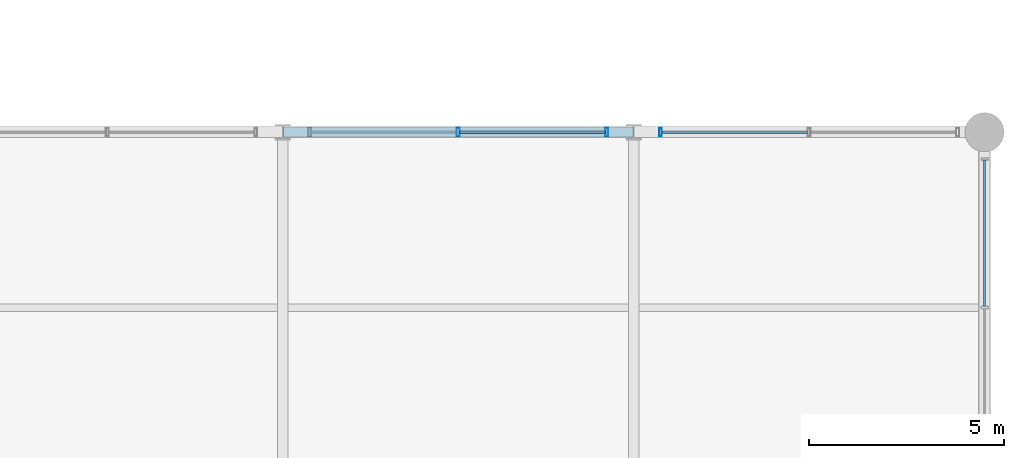
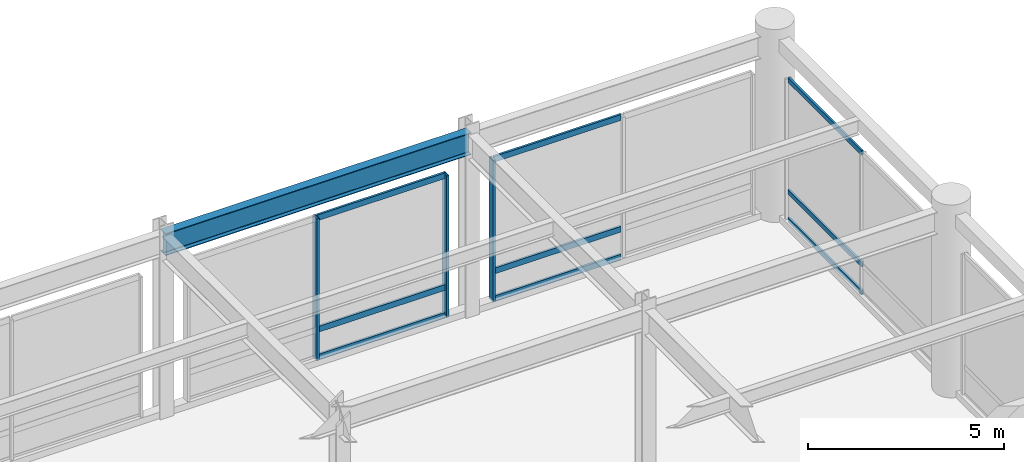
# One storey, part 51 of 105: 12 members, 1 beam, 3 elements without a shape of their own.
"""IFC4 building model written with IfcOpenShell, lengths in metres."""

from ifc_helpers import new_model, si_unit, direction, frame, origin, origin_2d, place, context, subcontext, project, spatial, hollow_rectangle, i_section, extrude, material, material_profile, profile_set, type_object, element, aggregate, save


model = new_model("IFC4")

# Units and contexts
model_context = context("Model", 3, precision=1e-05, world=origin(), true_north=direction((0.0, 1.0)))
body_context = subcontext(model_context, "Body", "Model", "MODEL_VIEW")
ifc_project = project(units=[si_unit("LENGTHUNIT", "METRE"), si_unit("AREAUNIT", "SQUARE_METRE"), si_unit("VOLUMEUNIT", "CUBIC_METRE"), si_unit("PLANEANGLEUNIT", "RADIAN"), si_unit("MASSUNIT", "GRAM", prefix="KILO")], contexts=[model_context])

# Site, building, storey
site_placement = place(None, origin())
site = spatial("IfcSite", under=ifc_project, at=site_placement, CompositionType="ELEMENT")
building_placement = place(site_placement, origin())
building = spatial("IfcBuilding", under=site, at=building_placement, Name="Kaldorvane Square Convention Centre", CompositionType="ELEMENT")
storey_placement = place(building_placement, frame((0.0, 0.0, 6.0)))
storey = spatial("IfcBuildingStorey", under=building, at=storey_placement, Name="L01", CompositionType="ELEMENT", Elevation=6.0)

# Beam
ifc_material_1 = material(Name="Steel ASTM A992 Gr. 50", Category="steel")
ifc_material_profile_1 = material_profile(ifc_material_1, i_section(OverallWidth=0.25439453125, OverallDepth=0.6880950927734375, WebThickness=0.0131072998046875, FlangeThickness=0.0211029052734375, FilletRadius=0.01519775390625, at=origin_2d()), Name="W27X102")
ifc_profile_set_1 = profile_set([ifc_material_profile_1], Name="Steel ASTM A992 Gr. 50")
beam_type = type_object("IfcBeamType", Name="BM-GR-W27X102", PredefinedType="BEAM", material=ifc_profile_set_1)
beam_placement = place(storey_placement, frame((156.0, 36.0, 5.332000732421875), z_axis=(1.0, 0.0, 0.0), x_axis=(0.0, 1.0, 0.0)))
element("IfcBeam", 1, at=beam_placement, inside=storey, type_object=beam_type, Name="Primary Girder (L01)", PredefinedType="BEAM", context=body_context, shape_type="SweptSolid", body=[
    extrude(i_section(OverallWidth=0.25439453125, OverallDepth=0.6880950927734375, WebThickness=0.0131072998046875, FlangeThickness=0.0211029052734375, FilletRadius=0.01519775390625, at=origin_2d()), origin(), (0.0, 0.0, 1.0), 9.0),
])

# Curtain wall, members
ifc_material_2 = material(Name="Anodized Aluminum and Low-E Insulated Glazing", Category="aluminium")
curtain_wall_type_1 = type_object("IfcCurtainWallType", Name="CW-PTS-FC-60", PredefinedType="USERDEFINED", material=ifc_material_2)
curtain_wall_1_placement = place(storey_placement, origin())
curtain_wall_1 = element("IfcCurtainWall", 2, at=curtain_wall_1_placement, inside=storey, type_object=curtain_wall_type_1, Name="Curtain Wall CW-07 (L01)", ObjectType="POINT SUPPORTED GLAZING", PredefinedType="USERDEFINED")
ifc_material_profile_2 = material_profile(ifc_material_2, hollow_rectangle(XDim=0.0749969482421875, YDim=0.220001220703125, WallThickness=0.003997802734375, at=origin_2d()), Name="CWM-220X75")
ifc_profile_set_2 = profile_set([ifc_material_profile_2], Name="Anodized Aluminum and Low-E Insulated Glazing")
member_type_1 = type_object("IfcMemberType", Name="CW-MUL-220", PredefinedType="MULLION", material=ifc_profile_set_2)
member_1_placement = place(storey_placement, frame((164.3125, 36.0, 0.149993896484375), z_axis=(0.0, 0.0, 1.0), x_axis=(-1.0, 0.0, 0.0)))
member_1 = element("IfcMember", 3, at=member_1_placement, type_object=member_type_1, Name="CW-07 mullion 1", PredefinedType="MULLION", context=body_context, shape_type="SweptSolid", body=[
    extrude(hollow_rectangle(XDim=0.0749969482421875, YDim=0.220001220703125, WallThickness=0.003997802734375, at=origin_2d()), origin(), (0.0, 0.0, 1.0), 4.410003662109375),
])
member_2_placement = place(storey_placement, frame((160.5, 36.0, 0.149993896484375), z_axis=(0.0, 0.0, 1.0), x_axis=(-1.0, 0.0, 0.0)))
member_2 = element("IfcMember", 4, at=member_2_placement, type_object=member_type_1, Name="CW-07 mullion 2", PredefinedType="MULLION", context=body_context, shape_type="SweptSolid", body=[
    extrude(hollow_rectangle(XDim=0.0749969482421875, YDim=0.220001220703125, WallThickness=0.003997802734375, at=origin_2d()), origin(), (0.0, 0.0, 1.0), 4.410003662109375),
])

# Curtain wall, member
curtain_wall_2_placement = place(storey_placement, origin())
curtain_wall_2 = element("IfcCurtainWall", 5, at=curtain_wall_2_placement, inside=storey, type_object=curtain_wall_type_1, Name="Curtain Wall CW-07 (L01)", ObjectType="POINT SUPPORTED GLAZING", PredefinedType="USERDEFINED")
member_3_placement = place(storey_placement, frame((165.6875, 36.0, 0.149993896484375), z_axis=(0.0, 0.0, 1.0), x_axis=(-1.0, 0.0, 0.0)))
member_3 = element("IfcMember", 6, at=member_3_placement, type_object=member_type_1, Name="CW-07 mullion 3", PredefinedType="MULLION", context=body_context, shape_type="SweptSolid", body=[
    extrude(hollow_rectangle(XDim=0.0749969482421875, YDim=0.220001220703125, WallThickness=0.003997802734375, at=origin_2d()), origin(), (0.0, 0.0, 1.0), 4.410003662109375),
])

# Curtain wall, members
curtain_wall_type_2 = type_object("IfcCurtainWallType", Name="CW-UNI-P60-09", PredefinedType="USERDEFINED", material=ifc_material_2)
curtain_wall_3_placement = place(storey_placement, origin())
curtain_wall_3 = element("IfcCurtainWall", 7, at=curtain_wall_3_placement, inside=storey, type_object=curtain_wall_type_2, Name="Curtain Wall CW-02 (L01)", ObjectType="UNITISED GLAZING", PredefinedType="USERDEFINED")
ifc_material_profile_3 = material_profile(ifc_material_2, hollow_rectangle(XDim=0.05999755859375, YDim=0.149993896484375, WallThickness=0.003204345703125, at=origin_2d()), Name="CWT-150X60")
ifc_profile_set_3 = profile_set([ifc_material_profile_3], Name="Anodized Aluminum and Low-E Insulated Glazing")
member_type_2 = type_object("IfcMemberType", Name="CW-TRN-150", PredefinedType="USERDEFINED", material=ifc_profile_set_3)
member_4_placement = place(storey_placement, frame((174.0, 31.532501220703125, 0.17999267578125), z_axis=(0.0, 1.0, 0.0), x_axis=(-1.0, 0.0, 0.0)))
member_4 = element("IfcMember", 8, at=member_4_placement, type_object=member_type_2, Name="CW-02 transom 2.1", ObjectType="TRANSOM", PredefinedType="USERDEFINED", context=body_context, shape_type="SweptSolid", body=[
    extrude(hollow_rectangle(XDim=0.05999755859375, YDim=0.149993896484375, WallThickness=0.003204345703125, at=origin_2d()), origin(), (0.0, 0.0, 1.0), 3.75250244140625),
])
member_5_placement = place(storey_placement, frame((174.0, 31.532501220703125, 1.0500030517578125), z_axis=(0.0, 1.0, 0.0), x_axis=(-1.0, 0.0, 0.0)))
member_5 = element("IfcMember", 9, at=member_5_placement, type_object=member_type_2, Name="CW-02 transom 2.2", ObjectType="TRANSOM", PredefinedType="USERDEFINED", context=body_context, shape_type="SweptSolid", body=[
    extrude(hollow_rectangle(XDim=0.05999755859375, YDim=0.149993896484375, WallThickness=0.003204345703125, at=origin_2d()), origin(), (0.0, 0.0, 1.0), 3.75250244140625),
])
member_6_placement = place(storey_placement, frame((174.0, 31.532501220703125, 4.529998779296875), z_axis=(0.0, 1.0, 0.0), x_axis=(-1.0, 0.0, 0.0)))
member_6 = element("IfcMember", 10, at=member_6_placement, type_object=member_type_2, Name="CW-02 transom 2.3", ObjectType="TRANSOM", PredefinedType="USERDEFINED", context=body_context, shape_type="SweptSolid", body=[
    extrude(hollow_rectangle(XDim=0.05999755859375, YDim=0.149993896484375, WallThickness=0.003204345703125, at=origin_2d()), origin(), (0.0, 0.0, 1.0), 3.75250244140625),
])
aggregate(curtain_wall_3, [member_4, member_5, member_6])

# Member
ifc_material_profile_4 = material_profile(ifc_material_2, hollow_rectangle(XDim=0.06500244140625, YDim=0.17999267578125, WallThickness=0.0034942626953125, at=origin_2d()), Name="CWT-180X65")
ifc_profile_set_4 = profile_set([ifc_material_profile_4], Name="Anodized Aluminum and Low-E Insulated Glazing")
member_type_3 = type_object("IfcMemberType", Name="CW-TRN-180", PredefinedType="USERDEFINED", material=ifc_profile_set_4)
member_7_placement = place(storey_placement, frame((164.27499389648438, 36.0, 0.1824951171875), z_axis=(-1.0, 0.0, 0.0), x_axis=(0.0, -1.0, 0.0)))
member_7 = element("IfcMember", 11, at=member_7_placement, type_object=member_type_3, Name="CW-07 transom 1.1", ObjectType="TRANSOM", PredefinedType="USERDEFINED", context=body_context, shape_type="SweptSolid", body=[
    extrude(hollow_rectangle(XDim=0.06500244140625, YDim=0.17999267578125, WallThickness=0.0034942626953125, at=origin_2d()), origin(), (0.0, 0.0, 1.0), 3.73748779296875),
])

member_8_placement = place(storey_placement, frame((164.27499389648438, 36.0, 1.0500030517578125), z_axis=(-1.0, 0.0, 0.0), x_axis=(0.0, -1.0, 0.0)))
member_8 = element("IfcMember", 12, at=member_8_placement, type_object=member_type_3, Name="CW-07 transom 1.2", ObjectType="TRANSOM", PredefinedType="USERDEFINED", context=body_context, shape_type="SweptSolid", body=[
    extrude(hollow_rectangle(XDim=0.06500244140625, YDim=0.17999267578125, WallThickness=0.0034942626953125, at=origin_2d()), origin(), (0.0, 0.0, 1.0), 3.73748779296875),
])

member_9_placement = place(storey_placement, frame((164.27499389648438, 36.0, 4.527496337890625), z_axis=(-1.0, 0.0, 0.0), x_axis=(0.0, -1.0, 0.0)))
member_9 = element("IfcMember", 13, at=member_9_placement, type_object=member_type_3, Name="CW-07 transom 1.3", ObjectType="TRANSOM", PredefinedType="USERDEFINED", context=body_context, shape_type="SweptSolid", body=[
    extrude(hollow_rectangle(XDim=0.06500244140625, YDim=0.17999267578125, WallThickness=0.0034942626953125, at=origin_2d()), origin(), (0.0, 0.0, 1.0), 3.73748779296875),
])

aggregate(curtain_wall_1, [member_1, member_2, member_7, member_8, member_9])

member_10_placement = place(storey_placement, frame((169.46249389648438, 36.0, 0.1824951171875), z_axis=(-1.0, 0.0, 0.0), x_axis=(0.0, -1.0, 0.0)))
member_10 = element("IfcMember", 14, at=member_10_placement, type_object=member_type_3, Name="CW-07 transom 2.1", ObjectType="TRANSOM", PredefinedType="USERDEFINED", context=body_context, shape_type="SweptSolid", body=[
    extrude(hollow_rectangle(XDim=0.06500244140625, YDim=0.17999267578125, WallThickness=0.0034942626953125, at=origin_2d()), origin(), (0.0, 0.0, 1.0), 3.73748779296875),
])

member_11_placement = place(storey_placement, frame((169.46249389648438, 36.0, 1.0500030517578125), z_axis=(-1.0, 0.0, 0.0), x_axis=(0.0, -1.0, 0.0)))
member_11 = element("IfcMember", 15, at=member_11_placement, type_object=member_type_3, Name="CW-07 transom 2.2", ObjectType="TRANSOM", PredefinedType="USERDEFINED", context=body_context, shape_type="SweptSolid", body=[
    extrude(hollow_rectangle(XDim=0.06500244140625, YDim=0.17999267578125, WallThickness=0.0034942626953125, at=origin_2d()), origin(), (0.0, 0.0, 1.0), 3.73748779296875),
])

member_12_placement = place(storey_placement, frame((169.46249389648438, 36.0, 4.527496337890625), z_axis=(-1.0, 0.0, 0.0), x_axis=(0.0, -1.0, 0.0)))
member_12 = element("IfcMember", 16, at=member_12_placement, type_object=member_type_3, Name="CW-07 transom 2.3", ObjectType="TRANSOM", PredefinedType="USERDEFINED", context=body_context, shape_type="SweptSolid", body=[
    extrude(hollow_rectangle(XDim=0.06500244140625, YDim=0.17999267578125, WallThickness=0.0034942626953125, at=origin_2d()), origin(), (0.0, 0.0, 1.0), 3.73748779296875),
])

aggregate(curtain_wall_2, [member_3, member_10, member_11, member_12])

save(model, "model.ifc")
